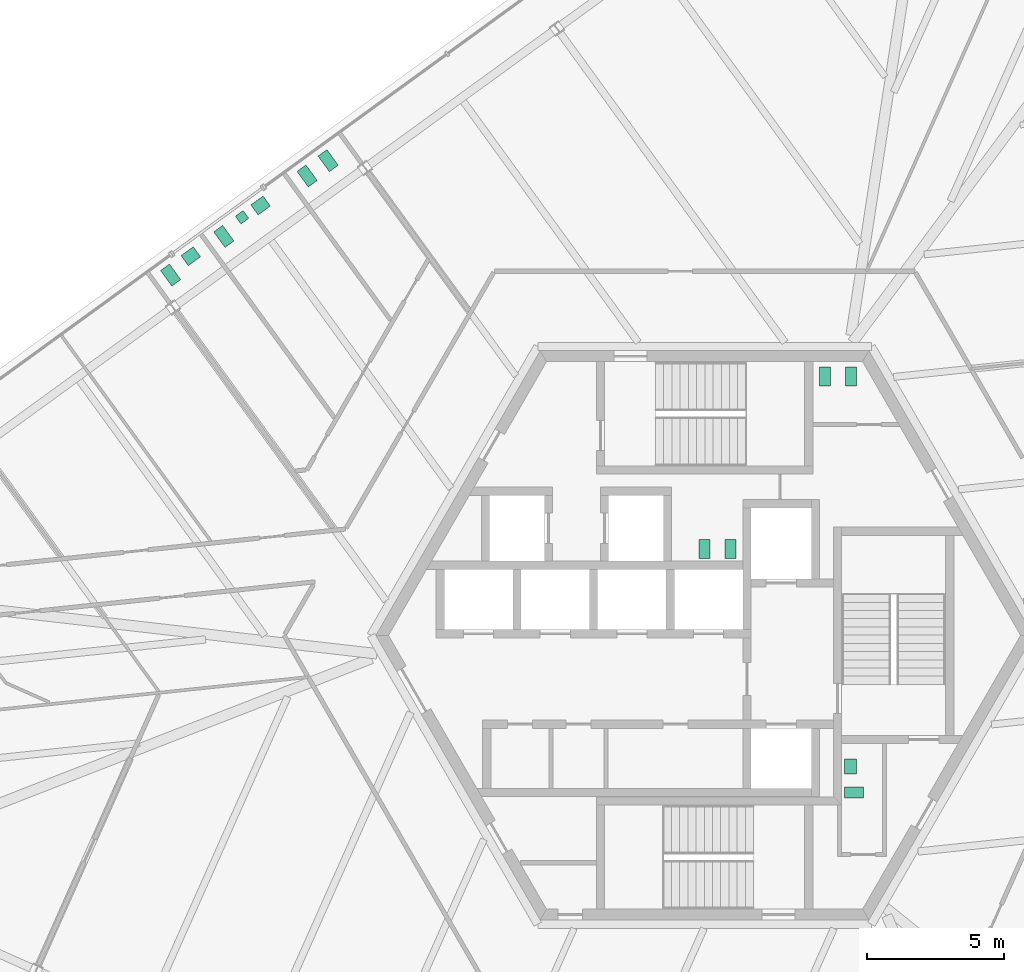
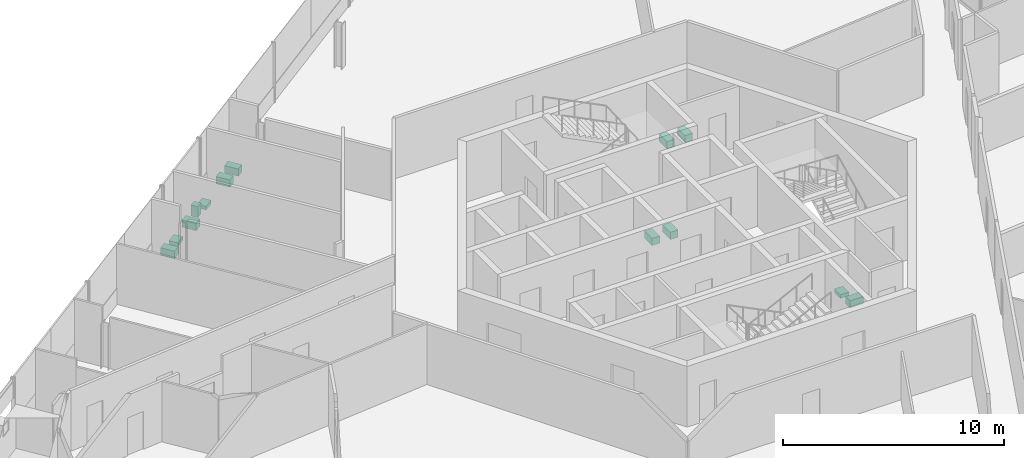
# One storey, part 23 of 25: 13 sanitary terminals.
"""IFC4 building model written with IfcOpenShell, lengths in metres."""

from ifc_helpers import new_model, si_unit, direction, frame, origin, origin_2d, place, context, subcontext, project, spatial, rectangle, extrude, source, transform, mapped, material, element, save


model = new_model("IFC4")

# Units and contexts
model_context = context("Model", 3, precision=1e-05, world=origin(), true_north=direction((0.0, 1.0)))
body_context = subcontext(model_context, "Body", "Model", "MODEL_VIEW")
ifc_project = project(units=[si_unit("LENGTHUNIT", "METRE"), si_unit("AREAUNIT", "SQUARE_METRE"), si_unit("VOLUMEUNIT", "CUBIC_METRE"), si_unit("PLANEANGLEUNIT", "RADIAN"), si_unit("MASSUNIT", "GRAM", prefix="KILO")], contexts=[model_context])

# Site, building, storey
site_placement = place(None, origin())
site = spatial("IfcSite", under=ifc_project, at=site_placement, CompositionType="ELEMENT")
building_placement = place(site_placement, origin())
building = spatial("IfcBuilding", under=site, at=building_placement, Name="Triune Harvest Tower", CompositionType="ELEMENT")
storey_placement = place(building_placement, frame((0.0, 0.0, 90.89990234375)))
storey = spatial("IfcBuildingStorey", under=building, at=storey_placement, Name="L22", CompositionType="ELEMENT", Elevation=90.89990234375)

# Sanitary terminals
ifc_material = material(Name="Vitreous china")
shared_shape_1 = source(origin(), body_context, "Body", "SweptSolid", [
    extrude(rectangle(XDim=0.39990234375, YDim=0.699951171875, at=origin_2d()), origin(), (0.0, 0.0, 1.0), 0.39990234375),
])
for number, where, z_axis, x_axis, name in (
    (1, (4.39990234375, 9.449951171875, 0.000244140625), (0.0, 0.0, 1.0), (1.0, 0.0, 0.0), "Toilet pan L22.c01"),
    (2, (5.35009765625, 9.449951171875, 0.000244140625), (0.0, 0.0, 1.0), (1.0, 0.0, 0.0), "Toilet pan L22.c02"),
    (3, (0.949951171875, 3.159912109375, 0.000244140625), (0.0, 0.0, 1.0), (-1.0, 0.0, 0.0), "Toilet pan L22.c03"),
    (4, (0.0, 3.159912109375, 0.000244140625), (0.0, 0.0, 1.0), (-1.0, 0.0, 0.0), "Toilet pan L22.c04"),
    (5, (5.449951171875, -5.739990234375, 0.000244140625), (0.0, 0.0, 1.0), (0.0, 1.0, 0.0), "Toilet pan L22.c05"),
    (6, (-14.509521484375, 16.7724609375, 0.000244140625), (0.0, 0.0, 1.0), (0.809006735464, 0.587799372213, 0.0), "Toilet pan 01"),
    (7, (-13.740966796875, 17.330810546875, 0.000244140625), (0.0, 0.0, 1.0), (0.809006735464, 0.587799372213, 0.0), "Toilet pan 02"),
    (8, (-17.54931640625, 14.56396484375, 0.000244140625), (0.0, 0.0, 1.0), (0.80902725304, 0.587771132193, 0.0), "Toilet pan 03"),
    (9, (-19.490966796875, 13.1533203125, 0.000244140625), (0.0, 0.0, 1.0), (0.809006735464, 0.587799372213, 0.0), "Toilet pan 06"),
):
    element("IfcSanitaryTerminal", number, at=place(storey_placement, frame(where, z_axis=z_axis, x_axis=x_axis)), inside=storey, material=ifc_material, Name=name, PredefinedType="TOILETPAN", context=body_context, shape_type="MappedRepresentation", body=[
        mapped(shared_shape_1, transform((0.0, 0.0, 0.0), scale=1.0)),
    ])
shared_shape_2 = source(origin(), body_context, "Body", "SweptSolid", [
    extrude(rectangle(XDim=0.35009765625, YDim=0.35009765625, at=origin_2d()), origin(), (0.0, 0.0, 1.0), 0.60009765625),
])
sanitary_terminal_placement = place(storey_placement, frame((-16.883544921875, 15.263916015625, 0.0), z_axis=(0.0, 0.0, 1.0), x_axis=(0.80902725304, 0.587771132193, 0.0)))
element("IfcSanitaryTerminal", 10, at=sanitary_terminal_placement, inside=storey, material=ifc_material, Name="Urinal 04", PredefinedType="URINAL", context=body_context, shape_type="MappedRepresentation", body=[
    mapped(shared_shape_2, transform((0.0, 0.0, 0.0), scale=1.0)),
])
shared_shape_3 = source(origin(), body_context, "Body", "SweptSolid", [
    extrude(rectangle(XDim=0.550048828125, YDim=0.449951171875, at=origin_2d()), origin(), (0.0, 0.0, 1.0), 0.199951171875),
])
for number, where, z_axis, x_axis, name in (
    (11, (5.324951171875, -4.7900390625, 0.0), (0.0, 0.0, 1.0), (0.0, 1.0, 0.0), "Wash basin L22.c06"),
    (12, (-16.20703125, 15.693603515625, 0.0), (0.0, 0.0, 1.0), (0.80902725304, 0.587771132193, 0.0), "Wash basin 05"),
    (13, (-18.75537109375, 13.84228515625, 0.0), (0.0, 0.0, 1.0), (0.809006735464, 0.587799372213, 0.0), "Wash basin 07"),
):
    element("IfcSanitaryTerminal", number, at=place(storey_placement, frame(where, z_axis=z_axis, x_axis=x_axis)), inside=storey, material=ifc_material, Name=name, PredefinedType="WASHHANDBASIN", context=body_context, shape_type="MappedRepresentation", body=[
        mapped(shared_shape_3, transform((0.0, 0.0, 0.0), scale=1.0)),
    ])

save(model, "model.ifc")
